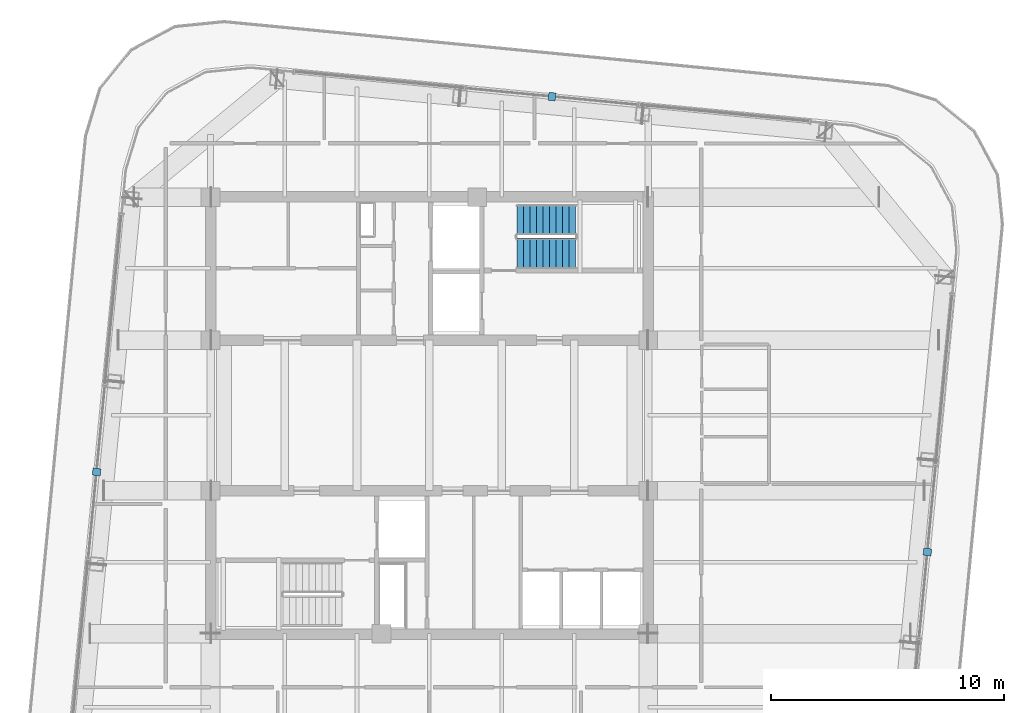
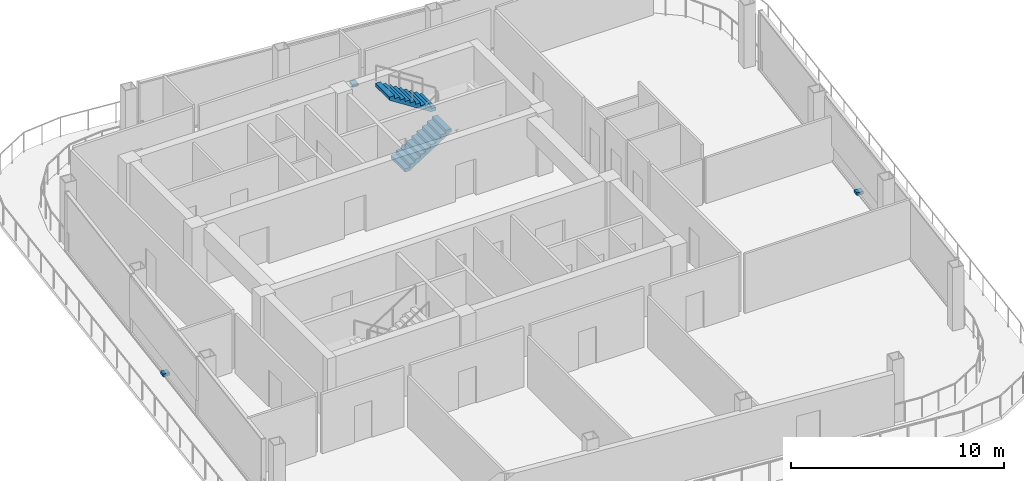
# One storey, part 15 of 20: 3 discrete accessories, 2 stair flights, 1 element without a shape of its own.
"""IFC4 building model written with IfcOpenShell, lengths in metres."""

from ifc_helpers import new_model, si_unit, direction, frame, origin, origin_2d, place, context, subcontext, project, spatial, polyline, rectangle, outline, extrude, material, type_object, element, aggregate, save


model = new_model("IFC4")

# Units and contexts
model_context = context("Model", 3, precision=1e-05, world=origin(), true_north=direction((0.0, 1.0)))
body_context = subcontext(model_context, "Body", "Model", "MODEL_VIEW")
ifc_project = project(units=[si_unit("LENGTHUNIT", "METRE"), si_unit("AREAUNIT", "SQUARE_METRE"), si_unit("VOLUMEUNIT", "CUBIC_METRE"), si_unit("PLANEANGLEUNIT", "RADIAN"), si_unit("MASSUNIT", "GRAM", prefix="KILO")], contexts=[model_context])

# Site, building, storey
site_placement = place(None, origin())
site = spatial("IfcSite", under=ifc_project, at=site_placement, CompositionType="ELEMENT")
building_placement = place(site_placement, origin())
building = spatial("IfcBuilding", under=site, at=building_placement, Name="Qhalaya Broadcast Tower", CompositionType="ELEMENT")
storey_placement = place(building_placement, frame((0.0, 0.0, 273.35009765625)))
storey = spatial("IfcBuildingStorey", under=building, at=storey_placement, Name="L81", CompositionType="ELEMENT", Elevation=273.35009765625)

# Stair, stair flights
ifc_material_1 = material(Name="Concrete C40/50", Category="concrete")
stair_type = type_object("IfcStairType", Name="Protected Dogleg Core Stair 3600", PredefinedType="TWO_STRAIGHT_RUN_STAIR", material=ifc_material_1)
stair_placement = place(storey_placement, origin())
stair = element("IfcStair", 1, at=stair_placement, inside=storey, type_object=stair_type, Name="L81 North Core Exit Stair ST-1", PredefinedType="TWO_STRAIGHT_RUN_STAIR")
ifc_material_2 = material(Name="Precast Concrete C40/50", Category="concrete")
stair_flight_type = type_object("IfcStairFlightType", Name="Precast Concrete Stair Flight 3600", PredefinedType="STRAIGHT", material=ifc_material_2)
stair_flight_1_placement = place(storey_placement, frame((3.75, 7.5400390625, 0.0), z_axis=(0.0, 0.0, 1.0), x_axis=(1.0, 0.0, 0.0)))
stair_flight_1 = element("IfcStairFlight", 2, at=stair_flight_1_placement, type_object=stair_flight_type, Name="ST-1 flight 1", NumberOfRisers=10, NumberOfTreads=9, PredefinedType="STRAIGHT", RiserHeight=0.18, TreadLength=0.28, context=body_context, shape_type="SweptSolid", body=[
    extrude(outline(polyline([(0.0, 0.0), (0.0, 0.179931640625), (0.280029296875, 0.179931640625), (0.280029296875, 0.360107421875), (0.56005859375, 0.360107421875), (0.56005859375, 0.5400390625), (0.840087890625, 0.5400390625), (0.840087890625, 0.719970703125), (1.1201171875, 0.719970703125), (1.1201171875, 0.89990234375), (1.39990234375, 0.89990234375), (1.39990234375, 1.080078125), (1.679931640625, 1.080078125), (1.679931640625, 1.260009765625), (1.9599609375, 1.260009765625), (1.9599609375, 1.43994140625), (2.239990234375, 1.43994140625), (2.239990234375, 1.6201171875), (2.52001953125, 1.6201171875), (2.52001953125, 1.800048828125), (2.52001953125, 1.44189453125), (0.277099609375, 0.0), (0.0, 0.0)])), frame((0.0, 0.66015625, 0.0), z_axis=(0.0, -1.0, 0.0), x_axis=(1.0, 0.0, 0.0)), (0.0, 0.0, 1.0), 1.320068359375),
])
stair_flight_2_placement = place(storey_placement, frame((6.27001953125, 8.97998046875, 1.7998046875), z_axis=(0.0, 0.0, 1.0), x_axis=(-1.0, 0.0, 0.0)))
stair_flight_2 = element("IfcStairFlight", 3, at=stair_flight_2_placement, type_object=stair_flight_type, Name="ST-1 flight 2", NumberOfRisers=10, NumberOfTreads=9, PredefinedType="STRAIGHT", RiserHeight=0.18, TreadLength=0.28, context=body_context, shape_type="SweptSolid", body=[
    extrude(outline(polyline([(0.0, 0.0), (0.0, 0.179931640625), (0.280029296875, 0.179931640625), (0.280029296875, 0.360107421875), (0.56005859375, 0.360107421875), (0.56005859375, 0.5400390625), (0.840087890625, 0.5400390625), (0.840087890625, 0.719970703125), (1.1201171875, 0.719970703125), (1.1201171875, 0.89990234375), (1.39990234375, 0.89990234375), (1.39990234375, 1.080078125), (1.679931640625, 1.080078125), (1.679931640625, 1.260009765625), (1.9599609375, 1.260009765625), (1.9599609375, 1.43994140625), (2.239990234375, 1.43994140625), (2.239990234375, 1.6201171875), (2.52001953125, 1.6201171875), (2.52001953125, 1.800048828125), (2.52001953125, 1.44189453125), (0.277099609375, 0.0), (0.0, 0.0)])), frame((0.0, 0.66015625, 0.0), z_axis=(0.0, -1.0, 0.0), x_axis=(1.0, 0.0, 0.0)), (0.0, 0.0, 1.0), 1.320068359375),
])
aggregate(stair, [stair_flight_1, stair_flight_2])

# Discrete accessories
ifc_material_3 = material(Name="Structural Steel ASTM A572 Grade 50", Category="steel")
discrete_accessory_type = type_object("IfcDiscreteAccessoryType", Name="Facade Baguette Support Bracket BRK-01", PredefinedType="BRACKET", material=ifc_material_3)
for number, where, z_axis, x_axis, name in (
    (4, (21.337646484375, -5.25390625, 0.0), (0.0, 0.0, 1.0), (0.09584575252, 0.995396198367, 0.0), "L81 Baguette Support Bracket E"),
    (5, (5.25390625, 14.2578125, 0.0), (0.0, 0.0, 1.0), (-0.995396198367, 0.09584575252, 0.0), "L81 Baguette Support Bracket N"),
    (6, (-14.2578125, -1.826171875, 0.0), (0.0, 0.0, 1.0), (-0.09584575252, -0.995396198367, 0.0), "L81 Baguette Support Bracket W"),
):
    element("IfcDiscreteAccessory", number, at=place(storey_placement, frame(where, z_axis=z_axis, x_axis=x_axis)), inside=storey, type_object=discrete_accessory_type, Name=name, PredefinedType="BRACKET", context=body_context, shape_type="SweptSolid", body=[
        extrude(rectangle(XDim=0.300048828125, YDim=0.340087890625, at=origin_2d()), origin(), (0.0, 0.0, 1.0), 0.159912109375),
    ])

save(model, "model.ifc")
